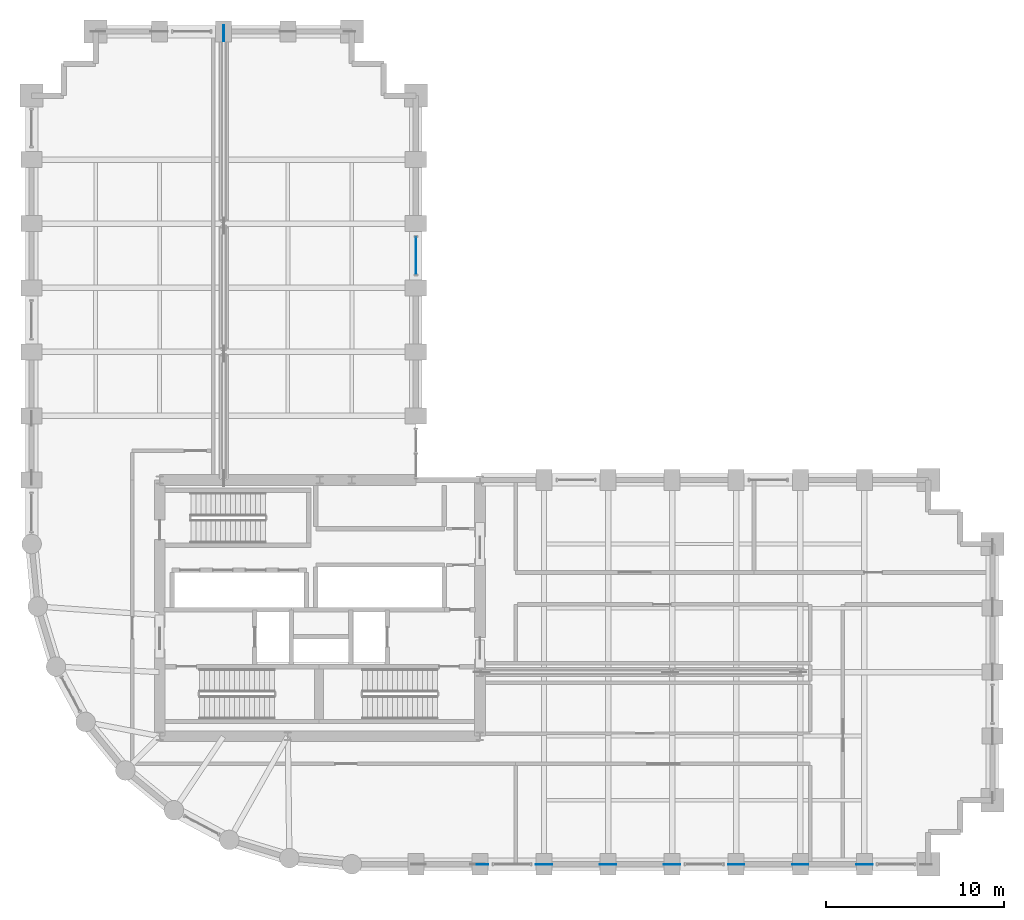
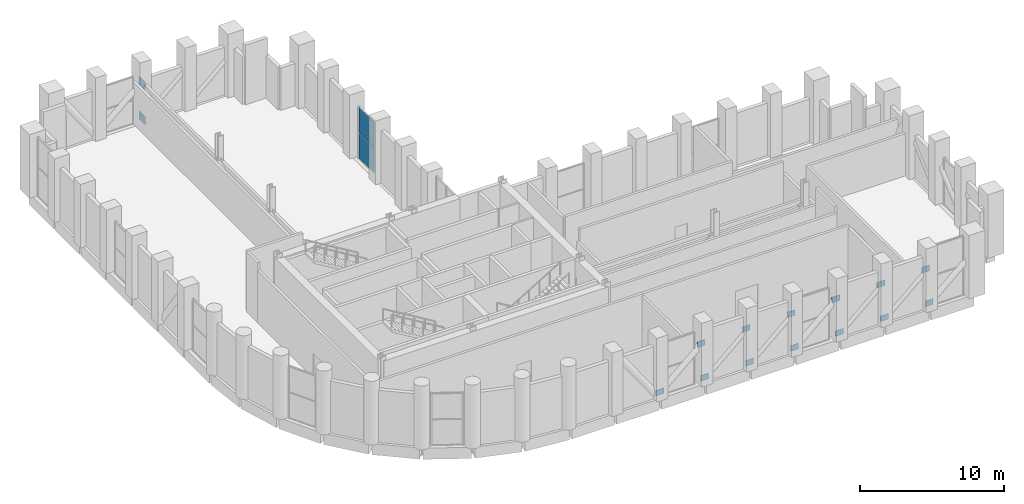
# One storey, part 22 of 27: 17 plates, 1 element without a shape of its own.
"""IFC4 building model written with IfcOpenShell, lengths in metres."""

from ifc_helpers import new_model, si_unit, direction, frame, origin, origin_2d, place, context, subcontext, project, spatial, rectangle, extrude, material, layer, layer_set, type_object, element, aggregate, save


model = new_model("IFC4")

# Units and contexts
model_context = context("Model", 3, precision=1e-05, world=origin(), true_north=direction((0.0, 1.0)))
body_context = subcontext(model_context, "Body", "Model", "MODEL_VIEW")
ifc_project = project(units=[si_unit("LENGTHUNIT", "METRE"), si_unit("AREAUNIT", "SQUARE_METRE"), si_unit("VOLUMEUNIT", "CUBIC_METRE"), si_unit("PLANEANGLEUNIT", "RADIAN"), si_unit("MASSUNIT", "GRAM", prefix="KILO")], contexts=[model_context])

# Site, building, storey
site_placement = place(None, origin())
site = spatial("IfcSite", under=ifc_project, at=site_placement, CompositionType="ELEMENT")
building_placement = place(site_placement, origin())
building = spatial("IfcBuilding", under=site, at=building_placement, Name="Solnavia Interchange Tower", CompositionType="ELEMENT")
storey_placement = place(building_placement, frame((0.0, 0.0, 74.699951171875)))
storey = spatial("IfcBuildingStorey", under=building, at=storey_placement, Name="L18", CompositionType="ELEMENT", Elevation=74.699951171875)

# Curtain wall, plates
ifc_material_1 = material(Name="Aluminium Alloy 6063-T6", Category="aluminium")
ifc_layer_1 = layer(ifc_material_1, 0.199951171875)
ifc_layer_set_1 = layer_set([ifc_layer_1], Name="Aluminium Alloy 6063-T6")
curtain_wall_type = type_object("IfcCurtainWallType", Name="CurtainWall-Louvre-CTW5", PredefinedType="NOTDEFINED", material=ifc_layer_set_1)
curtain_wall_placement = place(storey_placement, origin())
curtain_wall = element("IfcCurtainWall", 1, at=curtain_wall_placement, inside=storey, type_object=curtain_wall_type, Name="CTW-L18-L33 CTW-5 curtain wall", PredefinedType="NOTDEFINED")
ifc_material_2 = material(Name="Powder-Coated Aluminium Louvre", Category="aluminium")
ifc_layer_2 = layer(ifc_material_2, 0.0400390625)
ifc_layer_set_2 = layer_set([ifc_layer_2], Name="Powder-Coated Aluminium Louvre")
plate_type_1 = type_object("IfcPlateType", Name="CW-Panel-Louvre-40", PredefinedType="CURTAIN_PANEL", material=ifc_layer_set_2)
plate_1_placement = place(storey_placement, frame((28.800048828125, 37.800048828125, 0.06005859375), z_axis=(0.0, 0.0, 1.0), x_axis=(0.0, 1.0, 0.0)))
plate_1 = element("IfcPlate", 2, at=plate_1_placement, type_object=plate_type_1, Name="CTW-5 panel 1.1", PredefinedType="CURTAIN_PANEL", context=body_context, shape_type="SweptSolid", body=[
    extrude(rectangle(XDim=2.10498046875, YDim=0.0400390625, at=origin_2d()), origin(), (0.0, 0.0, 1.0), 2.125),
])
plate_2_placement = place(storey_placement, frame((28.800048828125, 37.800048828125, 2.2451171875), z_axis=(0.0, 0.0, 1.0), x_axis=(0.0, 1.0, 0.0)))
plate_2 = element("IfcPlate", 3, at=plate_2_placement, type_object=plate_type_1, Name="CTW-5 panel 1.2", PredefinedType="CURTAIN_PANEL", context=body_context, shape_type="SweptSolid", body=[
    extrude(rectangle(XDim=2.10498046875, YDim=0.0400390625, at=origin_2d()), origin(), (0.0, 0.0, 1.0), 2.125),
])
aggregate(curtain_wall, [plate_1, plate_2])

# Plates
ifc_material_3 = material(Name="Steel S460", Category="steel")
ifc_layer_3 = layer(ifc_material_3, 0.02490234375)
ifc_layer_set_3 = layer_set([ifc_layer_3], Name="Steel S460")
plate_type_2 = type_object("IfcPlateType", Name="Plate-Gusset-640x480x25", PredefinedType="USERDEFINED", material=ifc_layer_set_3)
for number, where, z_axis, x_axis, name in (
    (4, (32.5400390625, 3.60009765625, 0.06005859375), (0.0, 0.0, 1.0), (1.0, 0.0, 0.0), "PLT-L18-GP23 Belt truss gusset plate"),
    (5, (35.860107421875, 3.60009765625, 3.010009765625), (0.0, 0.0, 1.0), (1.0, 0.0, 0.0), "PLT-L18-GP24 Belt truss gusset plate"),
    (6, (36.139892578125, 3.60009765625, 0.06005859375), (0.0, 0.0, 1.0), (1.0, 0.0, 0.0), "PLT-L18-GP25 Belt truss gusset plate"),
    (7, (39.4599609375, 3.60009765625, 3.010009765625), (0.0, 0.0, 1.0), (1.0, 0.0, 0.0), "PLT-L18-GP26 Belt truss gusset plate"),
    (8, (39.739990234375, 3.60009765625, 0.06005859375), (0.0, 0.0, 1.0), (1.0, 0.0, 0.0), "PLT-L18-GP27 Belt truss gusset plate"),
    (9, (43.06005859375, 3.60009765625, 3.010009765625), (0.0, 0.0, 1.0), (1.0, 0.0, 0.0), "PLT-L18-GP28 Belt truss gusset plate"),
    (10, (43.340087890625, 3.60009765625, 0.06005859375), (0.0, 0.0, 1.0), (1.0, 0.0, 0.0), "PLT-L18-GP29 Belt truss gusset plate"),
    (11, (46.659912109375, 3.60009765625, 3.010009765625), (0.0, 0.0, 1.0), (1.0, 0.0, 0.0), "PLT-L18-GP30 Belt truss gusset plate"),
    (12, (46.93994140625, 3.60009765625, 0.06005859375), (0.0, 0.0, 1.0), (1.0, 0.0, 0.0), "PLT-L18-GP31 Belt truss gusset plate"),
    (13, (50.260009765625, 3.60009765625, 3.010009765625), (0.0, 0.0, 1.0), (1.0, 0.0, 0.0), "PLT-L18-GP32 Belt truss gusset plate"),
    (14, (50.5400390625, 3.60009765625, 0.06005859375), (0.0, 0.0, 1.0), (1.0, 0.0, 0.0), "PLT-L18-GP33 Belt truss gusset plate"),
    (15, (53.860107421875, 3.60009765625, 3.010009765625), (0.0, 0.0, 1.0), (1.0, 0.0, 0.0), "PLT-L18-GP34 Belt truss gusset plate"),
    (16, (54.139892578125, 3.60009765625, 0.06005859375), (0.0, 0.0, 1.0), (1.0, 0.0, 0.0), "PLT-L18-GP35 Belt truss gusset plate"),
):
    element("IfcPlate", number, at=place(storey_placement, frame(where, z_axis=z_axis, x_axis=x_axis)), inside=storey, type_object=plate_type_2, Name=name, ObjectType="GUSSET PLATE", PredefinedType="USERDEFINED", context=body_context, shape_type="SweptSolid", body=[
        extrude(rectangle(XDim=0.639892578125, YDim=0.02490234375, at=origin_2d()), origin(), (0.0, 0.0, 1.0), 0.47998046875),
    ])
ifc_layer_4 = layer(ifc_material_3, 0.035888671875)
ifc_layer_set_4 = layer_set([ifc_layer_4], Name="Steel S460")
plate_type_3 = type_object("IfcPlateType", Name="Plate-Gusset-900x680x36", PredefinedType="USERDEFINED", material=ifc_layer_set_4)
for number, where, z_axis, x_axis, name in (
    (17, (18.0, 50.300048828125, -0.0400390625), (0.0, 0.0, 1.0), (0.0, 1.0, 0.0), "PLT-L18-GP21 Outrigger node gusset plate"),
    (18, (18.0, 50.300048828125, 2.91015625), (0.0, 0.0, 1.0), (0.0, 1.0, 0.0), "PLT-L18-GP22 Outrigger node gusset plate"),
):
    element("IfcPlate", number, at=place(storey_placement, frame(where, z_axis=z_axis, x_axis=x_axis)), inside=storey, type_object=plate_type_3, Name=name, ObjectType="GUSSET PLATE", PredefinedType="USERDEFINED", context=body_context, shape_type="SweptSolid", body=[
        extrude(rectangle(XDim=0.89990234375, YDim=0.035888671875, at=origin_2d()), origin(), (0.0, 0.0, 1.0), 0.679931640625),
    ])

save(model, "model.ifc")
